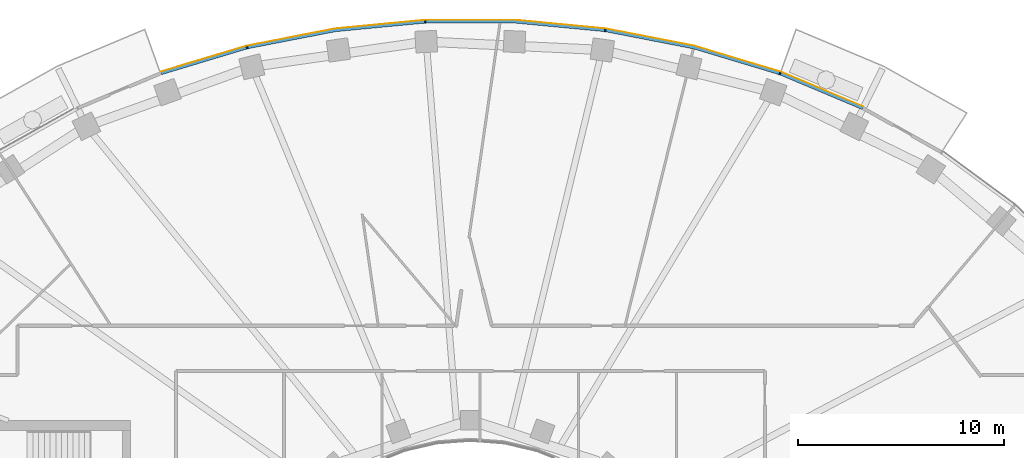
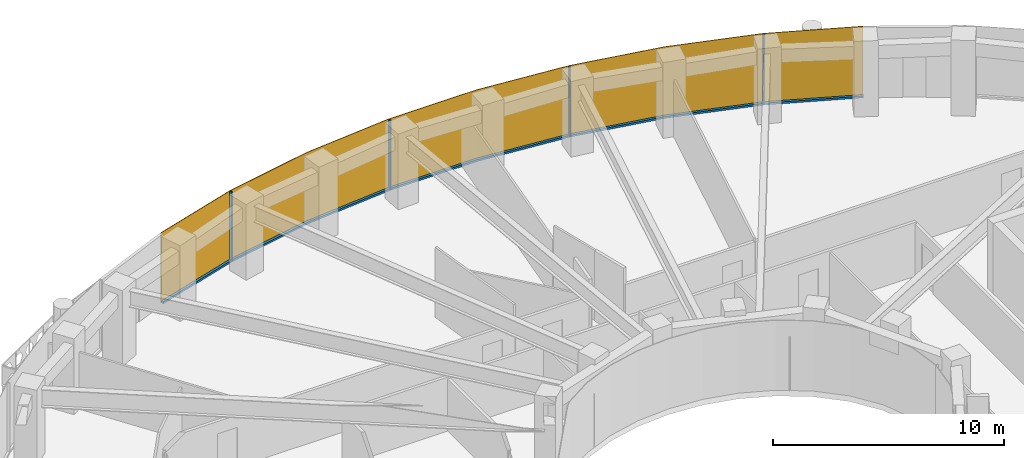
# One storey, part 12 of 15: 9 members, 1 curtain wall.
"""IFC4 building model written with IfcOpenShell, lengths in metres."""

from ifc_helpers import new_model, si_unit, direction, frame, origin, origin_2d, place, context, subcontext, project, spatial, polyline, rectangle, outline, extrude, material, layer, layer_set, material_profile, profile_set, type_object, element, aggregate, save


model = new_model("IFC4")

# Units and contexts
model_context = context("Model", 3, precision=1e-05, world=origin(), true_north=direction((0.0, 1.0)))
body_context = subcontext(model_context, "Body", "Model", "MODEL_VIEW")
ifc_project = project(units=[si_unit("LENGTHUNIT", "METRE"), si_unit("AREAUNIT", "SQUARE_METRE"), si_unit("VOLUMEUNIT", "CUBIC_METRE"), si_unit("PLANEANGLEUNIT", "RADIAN"), si_unit("MASSUNIT", "GRAM", prefix="KILO")], contexts=[model_context])

# Member
ifc_material_1 = material(Name="Aluminium 6063-T6 black anodised", Category="aluminium")
ifc_material_profile = material_profile(ifc_material_1, rectangle(XDim=0.1201171875, YDim=0.06005859375, at=origin_2d()), Name="120x60")
ifc_profile_set = profile_set([ifc_material_profile], Name="Aluminium 6063-T6 black anodised")
member_type_1 = type_object("IfcMemberType", Name="ENV-MULLION-A-120", PredefinedType="MULLION", material=ifc_profile_set)
site_placement = place(None, origin())
building_placement = place(site_placement, origin())
storey_placement = place(building_placement, frame((0.0, 0.0, 265.5)))
member_1_placement = place(storey_placement, frame((15.0341796875, 25.34375, 0.0), z_axis=(0.0, 0.0, 1.0), x_axis=(-0.338379256581, -0.941009818608, 0.0)))
member_1 = element("IfcMember", 1, at=member_1_placement, type_object=member_type_1, Name="Mullion A radial 09", PredefinedType="MULLION", context=body_context, shape_type="SweptSolid", body=[
    extrude(rectangle(XDim=0.1201171875, YDim=0.06005859375, at=origin_2d()), origin(), (0.0, 0.0, 1.0), 3.699951171875),
])

member_2_placement = place(storey_placement, frame((6.54638671875, 27.440185546875, 0.0), z_axis=(0.0, 0.0, 1.0), x_axis=(-0.143082012705, -0.989710835366, 0.0)))
member_2 = element("IfcMember", 2, at=member_2_placement, type_object=member_type_1, Name="Mullion A radial 11", PredefinedType="MULLION", context=body_context, shape_type="SweptSolid", body=[
    extrude(rectangle(XDim=0.1201171875, YDim=0.06005859375, at=origin_2d()), origin(), (0.0, 0.0, 1.0), 3.699951171875),
])

member_3_placement = place(storey_placement, frame((-2.188720703125, 27.856201171875, 0.0), z_axis=(0.0, 0.0, 1.0), x_axis=(0.047557873581, -0.998868484166, 0.0)))
member_3 = element("IfcMember", 3, at=member_3_placement, type_object=member_type_1, Name="Mullion A radial 13", PredefinedType="MULLION", context=body_context, shape_type="SweptSolid", body=[
    extrude(rectangle(XDim=0.1201171875, YDim=0.06005859375, at=origin_2d()), origin(), (0.0, 0.0, 1.0), 3.699951171875),
])

member_4_placement = place(storey_placement, frame((-10.84326171875, 26.60498046875, 0.0), z_axis=(0.0, 0.0, 1.0), x_axis=(0.239799081534, -0.970822538106, 0.0)))
member_4 = element("IfcMember", 4, at=member_4_placement, type_object=member_type_1, Name="Mullion A radial 15", PredefinedType="MULLION", context=body_context, shape_type="SweptSolid", body=[
    extrude(rectangle(XDim=0.1201171875, YDim=0.06005859375, at=origin_2d()), origin(), (0.0, 0.0, 1.0), 3.699951171875),
])

ifc_material_2 = material(Name="Aluminium 6063-T6 black anodised", Category="aluminium")
member_type_2 = type_object("IfcMemberType", Name="ENV-TRANSOM-A", PredefinedType="USERDEFINED", material=ifc_material_2)
member_5_placement = place(storey_placement, origin())
member_5 = element("IfcMember", 5, at=member_5_placement, type_object=member_type_2, Name="Transom A radial 08-09", ObjectType="TRANSOM", PredefinedType="USERDEFINED", context=body_context, shape_type="SweptSolid", body=[
    extrude(outline(polyline([(19.07568359375, 23.709228515625), (15.080322265625, 25.389404296875), (15.03955078125, 25.276123046875), (19.02294921875, 23.601318359375), (19.07568359375, 23.709228515625)])), origin(), (0.0, 0.0, 1.0), 0.10009765625),
])

member_6_placement = place(storey_placement, origin())
member_6 = element("IfcMember", 6, at=member_6_placement, type_object=member_type_2, Name="Transom A radial 09-11", ObjectType="TRANSOM", PredefinedType="USERDEFINED", context=body_context, shape_type="SweptSolid", body=[
    extrude(outline(polyline([(15.027587890625, 25.408203125), (10.857666015625, 26.6630859375), (6.58251953125, 27.494140625), (6.5654296875, 27.375244140625), (10.828857421875, 26.54638671875), (14.987060546875, 25.295166015625), (15.027587890625, 25.408203125)])), origin(), (0.0, 0.0, 1.0), 0.10009765625),
])

member_7_placement = place(storey_placement, origin())
member_7 = element("IfcMember", 7, at=member_7_placement, type_object=member_type_2, Name="Transom A radial 11-13", ObjectType="TRANSOM", PredefinedType="USERDEFINED", context=body_context, shape_type="SweptSolid", body=[
    extrude(outline(polyline([(6.527099609375, 27.502197265625), (2.191650390625, 27.916015625), (-2.163818359375, 27.916015625), (-2.157958984375, 27.7958984375), (2.185791015625, 27.7958984375), (6.510009765625, 27.38330078125), (6.527099609375, 27.502197265625)])), origin(), (0.0, 0.0, 1.0), 0.10009765625),
])

member_8_placement = place(storey_placement, origin())
member_8 = element("IfcMember", 8, at=member_8_placement, type_object=member_type_2, Name="Transom A radial 13-15", ObjectType="TRANSOM", PredefinedType="USERDEFINED", context=body_context, shape_type="SweptSolid", body=[
    extrude(outline(polyline([(-2.219482421875, 27.913330078125), (-6.55517578125, 27.49951171875), (-10.830078125, 26.66845703125), (-10.80126953125, 26.552001953125), (-6.537841796875, 27.380615234375), (-2.2138671875, 27.793212890625), (-2.219482421875, 27.913330078125)])), origin(), (0.0, 0.0, 1.0), 0.10009765625),
])

member_9_placement = place(storey_placement, origin())
member_9 = element("IfcMember", 9, at=member_9_placement, type_object=member_type_2, Name="Transom A radial 15-16", ObjectType="TRANSOM", PredefinedType="USERDEFINED", context=body_context, shape_type="SweptSolid", body=[
    extrude(outline(polyline([(-10.884521484375, 26.655029296875), (-15.035400390625, 25.406005859375), (-14.99462890625, 25.292724609375), (-10.855712890625, 26.53857421875), (-10.884521484375, 26.655029296875)])), origin(), (0.0, 0.0, 1.0), 0.10009765625),
])

# Site, building, storey
site = spatial("IfcSite", under=ifc_project, at=site_placement, CompositionType="ELEMENT")
building = spatial("IfcBuilding", under=site, at=building_placement, Name="Noorbagh Ring Tower", CompositionType="ELEMENT")
storey = spatial("IfcBuildingStorey", under=building, at=storey_placement, Name="L56", CompositionType="ELEMENT", Elevation=265.5)

# Curtain wall
ifc_material_3 = material(Name="Glass dark tinted laminated", Category="glass")
ifc_layer = layer(ifc_material_3, 0.031982421875)
ifc_layer_set = layer_set([ifc_layer], Name="Glass dark tinted laminated")
curtain_wall_type = type_object("IfcCurtainWallType", Name="ENV-CW-A", PredefinedType="NOTDEFINED", material=ifc_layer_set)
curtain_wall_placement = place(storey_placement, origin())
curtain_wall = element("IfcCurtainWall", 10, at=curtain_wall_placement, inside=storey, type_object=curtain_wall_type, Name="Curtain wall A R08", PredefinedType="NOTDEFINED", context=body_context, shape_type="SweptSolid", body=[
    extrude(outline(polyline([(19.08984375, 23.738037109375), (15.065185546875, 25.430419921875), (10.865234375, 26.6943359375), (6.559814453125, 27.53125), (2.193115234375, 27.947998046875), (-2.193115234375, 27.947998046875), (-6.559814453125, 27.53125), (-10.865234375, 26.6943359375), (-15.046142578125, 25.43603515625), (-15.035400390625, 25.406005859375), (-10.857666015625, 26.6630859375), (-6.55517578125, 27.49951171875), (-2.191650390625, 27.916015625), (2.191650390625, 27.916015625), (6.55517578125, 27.49951171875), (10.857666015625, 26.6630859375), (15.054443359375, 25.400146484375), (19.07568359375, 23.709228515625), (19.08984375, 23.738037109375)])), origin(), (0.0, 0.0, 1.0), 3.699951171875),
])

aggregate(curtain_wall, [member_1, member_2, member_3, member_4, member_5, member_6, member_7, member_8, member_9])

save(model, "model.ifc")
